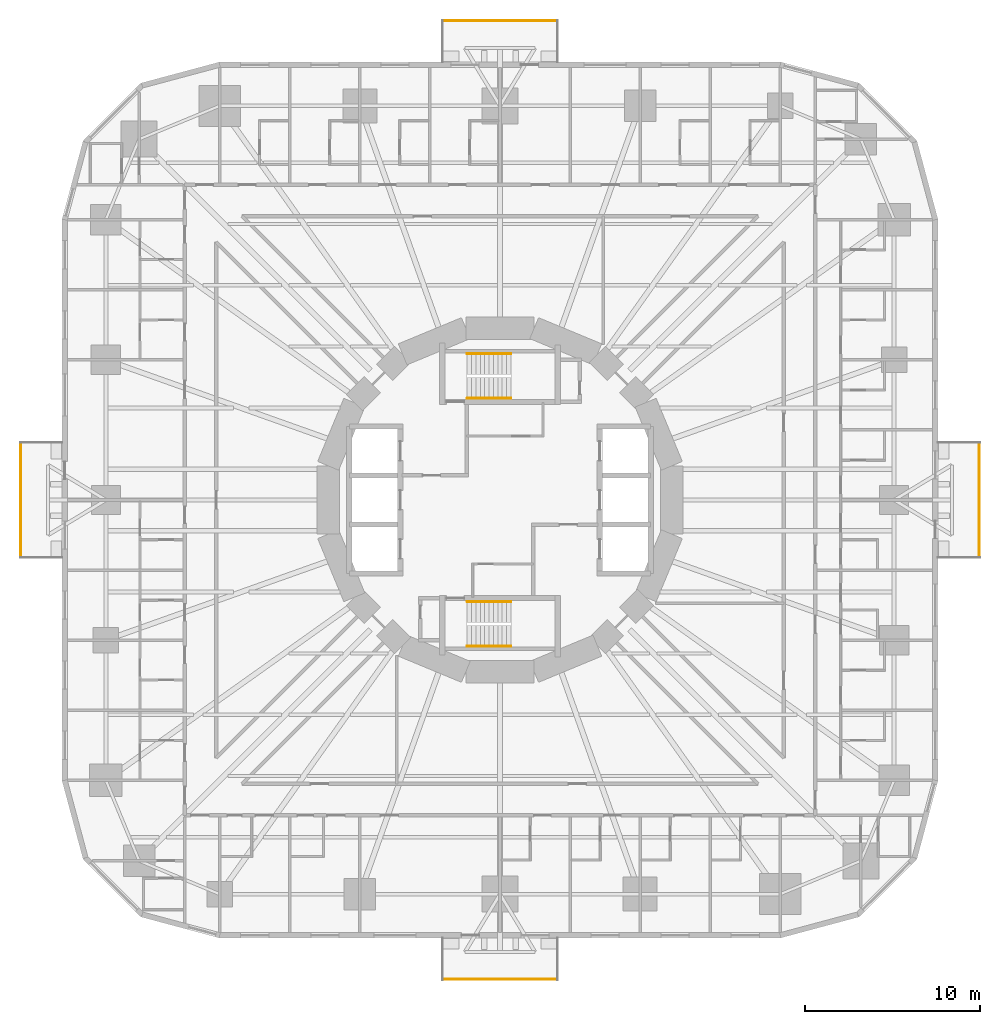
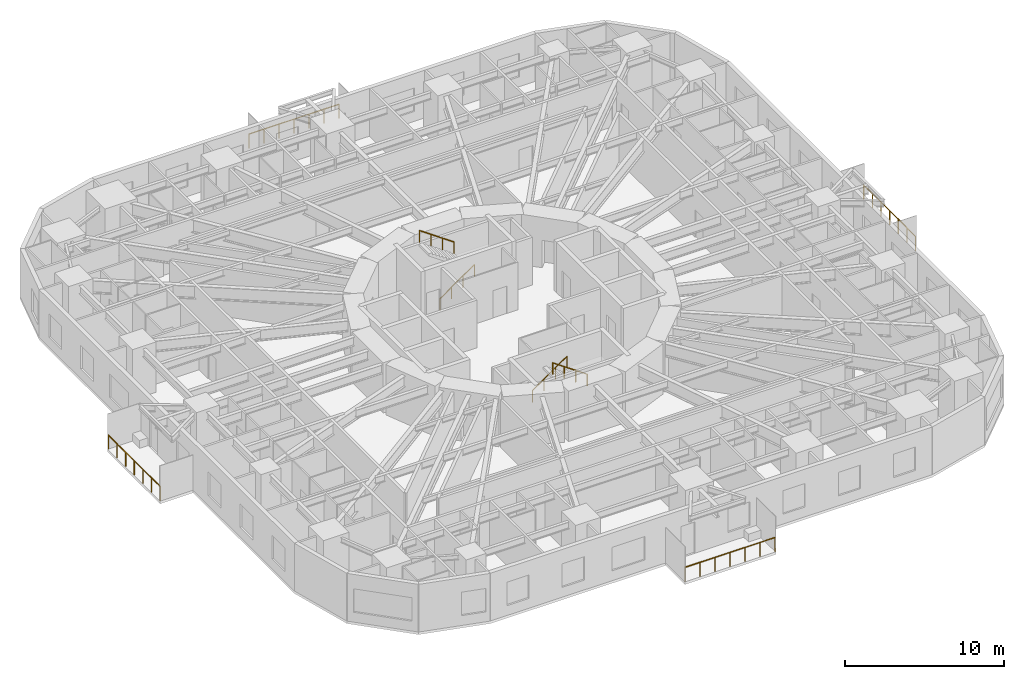
# One storey, part 13 of 14: 8 railings.
"""IFC4 building model written with IfcOpenShell, lengths in metres."""

from ifc_helpers import new_model, si_unit, direction, frame, origin, origin_2d, place, context, subcontext, project, spatial, circle, extrude, material, type_object, element, save


model = new_model("IFC4")

# Units and contexts
model_context = context("Model", 3, precision=1e-05, world=origin(), true_north=direction((0.0, 1.0)))
body_context = subcontext(model_context, "Body", "Model", "MODEL_VIEW")
ifc_project = project(units=[si_unit("LENGTHUNIT", "METRE"), si_unit("AREAUNIT", "SQUARE_METRE"), si_unit("VOLUMEUNIT", "CUBIC_METRE"), si_unit("PLANEANGLEUNIT", "RADIAN"), si_unit("MASSUNIT", "GRAM", prefix="KILO")], contexts=[model_context])

# Site, building, storey
site_placement = place(None, origin())
site = spatial("IfcSite", under=ifc_project, at=site_placement, CompositionType="ELEMENT")
building_placement = place(site_placement, origin())
building = spatial("IfcBuilding", under=site, at=building_placement, Name="Nakasero Lantern House", CompositionType="ELEMENT")
storey_placement = place(building_placement, frame((0.0, 0.0, 46.800048828125)))
storey = spatial("IfcBuildingStorey", under=building, at=storey_placement, Name="L11", CompositionType="ELEMENT", Elevation=46.800048828125)

# Railings
ifc_material_1 = material(Name="Aluminium 6063-T6", Category="aluminium")
railing_type_1 = type_object("IfcRailingType", Name="Balcony guard 1100", PredefinedType="BALUSTRADE", material=ifc_material_1)
railing_1_placement = place(storey_placement, frame((27.35009765625, -3.260009765625, 0.0)))
element("IfcRailing", 1, at=railing_1_placement, inside=storey, type_object=railing_type_1, Name="Balcony guard L11 BAL0", PredefinedType="BALUSTRADE", context=body_context, shape_type="SweptSolid", body=[
    extrude(circle(Radius=0.02392578125, at=origin_2d()), frame((0.0, 0.0, 1.076171875), z_axis=(0.0, 1.0, 0.0), x_axis=(-1.0, 0.0, 0.0)), (0.0, 0.0, 1.0), 6.52001953125),
    extrude(circle(Radius=0.02099609375, at=origin_2d()), origin(), (0.0, 0.0, 1.0), 1.052001953125),
    extrude(circle(Radius=0.02099609375, at=origin_2d()), frame((0.0, 1.086669921875, 0.0)), (0.0, 0.0, 1.0), 1.052001953125),
    extrude(circle(Radius=0.02099609375, at=origin_2d()), frame((0.0, 2.17333984375, 0.0)), (0.0, 0.0, 1.0), 1.052001953125),
    extrude(circle(Radius=0.02099609375, at=origin_2d()), frame((0.0, 3.260009765625, 0.0)), (0.0, 0.0, 1.0), 1.052001953125),
    extrude(circle(Radius=0.02099609375, at=origin_2d()), frame((0.0, 4.3466796875, 0.0)), (0.0, 0.0, 1.0), 1.052001953125),
    extrude(circle(Radius=0.02099609375, at=origin_2d()), frame((0.0, 5.433349609375, 0.0)), (0.0, 0.0, 1.0), 1.052001953125),
    extrude(circle(Radius=0.02099609375, at=origin_2d()), frame((0.0, 6.52001953125, 0.0)), (0.0, 0.0, 1.0), 1.052001953125),
])
railing_2_placement = place(storey_placement, frame((3.260009765625, 27.35009765625, 0.0)))
element("IfcRailing", 2, at=railing_2_placement, inside=storey, type_object=railing_type_1, Name="Balcony guard L11 BAL1", PredefinedType="BALUSTRADE", context=body_context, shape_type="SweptSolid", body=[
    extrude(circle(Radius=0.02392578125, at=origin_2d()), frame((0.0, 0.0, 1.076171875), z_axis=(-1.0, 0.0, 0.0), x_axis=(0.0, -1.0, 0.0)), (0.0, 0.0, 1.0), 6.52001953125),
    extrude(circle(Radius=0.02099609375, at=origin_2d()), origin(), (0.0, 0.0, 1.0), 1.052001953125),
    extrude(circle(Radius=0.02099609375, at=origin_2d()), frame((-1.086669921875, 0.0, 0.0)), (0.0, 0.0, 1.0), 1.052001953125),
    extrude(circle(Radius=0.02099609375, at=origin_2d()), frame((-2.17333984375, 0.0, 0.0)), (0.0, 0.0, 1.0), 1.052001953125),
    extrude(circle(Radius=0.02099609375, at=origin_2d()), frame((-3.260009765625, 0.0, 0.0)), (0.0, 0.0, 1.0), 1.052001953125),
    extrude(circle(Radius=0.02099609375, at=origin_2d()), frame((-4.3466796875, 0.0, 0.0)), (0.0, 0.0, 1.0), 1.052001953125),
    extrude(circle(Radius=0.02099609375, at=origin_2d()), frame((-5.433349609375, 0.0, 0.0)), (0.0, 0.0, 1.0), 1.052001953125),
    extrude(circle(Radius=0.02099609375, at=origin_2d()), frame((-6.52001953125, 0.0, 0.0)), (0.0, 0.0, 1.0), 1.052001953125),
])
railing_3_placement = place(storey_placement, frame((-27.35009765625, 3.260009765625, 0.0)))
element("IfcRailing", 3, at=railing_3_placement, inside=storey, type_object=railing_type_1, Name="Balcony guard L11 BAL2", PredefinedType="BALUSTRADE", context=body_context, shape_type="SweptSolid", body=[
    extrude(circle(Radius=0.02392578125, at=origin_2d()), frame((0.0, 0.0, 1.076171875), z_axis=(0.0, -1.0, 0.0), x_axis=(1.0, 0.0, 0.0)), (0.0, 0.0, 1.0), 6.52001953125),
    extrude(circle(Radius=0.02099609375, at=origin_2d()), origin(), (0.0, 0.0, 1.0), 1.052001953125),
    extrude(circle(Radius=0.02099609375, at=origin_2d()), frame((0.0, -1.086669921875, 0.0)), (0.0, 0.0, 1.0), 1.052001953125),
    extrude(circle(Radius=0.02099609375, at=origin_2d()), frame((0.0, -2.17333984375, 0.0)), (0.0, 0.0, 1.0), 1.052001953125),
    extrude(circle(Radius=0.02099609375, at=origin_2d()), frame((0.0, -3.260009765625, 0.0)), (0.0, 0.0, 1.0), 1.052001953125),
    extrude(circle(Radius=0.02099609375, at=origin_2d()), frame((0.0, -4.3466796875, 0.0)), (0.0, 0.0, 1.0), 1.052001953125),
    extrude(circle(Radius=0.02099609375, at=origin_2d()), frame((0.0, -5.433349609375, 0.0)), (0.0, 0.0, 1.0), 1.052001953125),
    extrude(circle(Radius=0.02099609375, at=origin_2d()), frame((0.0, -6.52001953125, 0.0)), (0.0, 0.0, 1.0), 1.052001953125),
])
railing_4_placement = place(storey_placement, frame((-3.260009765625, -27.35009765625, 0.0)))
element("IfcRailing", 4, at=railing_4_placement, inside=storey, type_object=railing_type_1, Name="Balcony guard L11 BAL3", PredefinedType="BALUSTRADE", context=body_context, shape_type="SweptSolid", body=[
    extrude(circle(Radius=0.02392578125, at=origin_2d()), frame((0.0, 0.0, 1.076171875), z_axis=(1.0, 0.0, 0.0), x_axis=(0.0, 1.0, 0.0)), (0.0, 0.0, 1.0), 6.52001953125),
    extrude(circle(Radius=0.02099609375, at=origin_2d()), origin(), (0.0, 0.0, 1.0), 1.052001953125),
    extrude(circle(Radius=0.02099609375, at=origin_2d()), frame((1.086669921875, 0.0, 0.0)), (0.0, 0.0, 1.0), 1.052001953125),
    extrude(circle(Radius=0.02099609375, at=origin_2d()), frame((2.17333984375, 0.0, 0.0)), (0.0, 0.0, 1.0), 1.052001953125),
    extrude(circle(Radius=0.02099609375, at=origin_2d()), frame((3.260009765625, 0.0, 0.0)), (0.0, 0.0, 1.0), 1.052001953125),
    extrude(circle(Radius=0.02099609375, at=origin_2d()), frame((4.3466796875, 0.0, 0.0)), (0.0, 0.0, 1.0), 1.052001953125),
    extrude(circle(Radius=0.02099609375, at=origin_2d()), frame((5.433349609375, 0.0, 0.0)), (0.0, 0.0, 1.0), 1.052001953125),
    extrude(circle(Radius=0.02099609375, at=origin_2d()), frame((6.52001953125, 0.0, 0.0)), (0.0, 0.0, 1.0), 1.052001953125),
])
ifc_material_2 = material(Name="Stainless steel 316", Category="steel")
railing_type_2 = type_object("IfcRailingType", Name="Stair handrail 900", PredefinedType="HANDRAIL", material=ifc_material_2)
railing_5_placement = place(storey_placement, frame((-1.875, 5.800048828125, 0.175048828125)))
element("IfcRailing", 5, at=railing_5_placement, inside=storey, type_object=railing_type_2, Name="Handrail ST1 L11 flight 1", PredefinedType="HANDRAIL", context=body_context, shape_type="SweptSolid", body=[
    extrude(circle(Radius=0.02392578125, at=origin_2d()), frame((0.0, 0.0, 0.8759765625), z_axis=(0.819231920519, 0.0, 0.573462344363), x_axis=(0.0, 1.0, 0.0)), (0.0, 0.0, 1.0), 3.0517578125),
    extrude(circle(Radius=0.02099609375, at=origin_2d()), origin(), (0.0, 0.0, 1.0), 0.851806640625),
    extrude(circle(Radius=0.02099609375, at=origin_2d()), frame((0.833251953125, 0.0, 0.583251953125)), (0.0, 0.0, 1.0), 0.851806640625),
    extrude(circle(Radius=0.02099609375, at=origin_2d()), frame((1.666748046875, 0.0, 1.166748046875)), (0.0, 0.0, 1.0), 0.851806640625),
    extrude(circle(Radius=0.02099609375, at=origin_2d()), frame((2.5, 0.0, 1.75)), (0.0, 0.0, 1.0), 0.851806640625),
])
railing_6_placement = place(storey_placement, frame((0.625, 8.35009765625, 2.099853515625)))
element("IfcRailing", 6, at=railing_6_placement, inside=storey, type_object=railing_type_2, Name="Handrail ST1 L11 flight 2", PredefinedType="HANDRAIL", context=body_context, shape_type="SweptSolid", body=[
    extrude(circle(Radius=0.02392578125, at=origin_2d()), frame((0.0, 0.0, 0.8759765625), z_axis=(-0.819231920519, 0.0, 0.573462344363), x_axis=(0.0, -1.0, 0.0)), (0.0, 0.0, 1.0), 3.0517578125),
    extrude(circle(Radius=0.02099609375, at=origin_2d()), origin(), (0.0, 0.0, 1.0), 0.851806640625),
    extrude(circle(Radius=0.02099609375, at=origin_2d()), frame((-0.833251953125, 0.0, 0.583251953125)), (0.0, 0.0, 1.0), 0.851806640625),
    extrude(circle(Radius=0.02099609375, at=origin_2d()), frame((-1.666748046875, 0.0, 1.166748046875)), (0.0, 0.0, 1.0), 0.851806640625),
    extrude(circle(Radius=0.02099609375, at=origin_2d()), frame((-2.5, 0.0, 1.75)), (0.0, 0.0, 1.0), 0.851806640625),
])
railing_7_placement = place(storey_placement, frame((-1.875, -5.800048828125, 0.175048828125)))
element("IfcRailing", 7, at=railing_7_placement, inside=storey, type_object=railing_type_2, Name="Handrail ST2 L11 flight 1", PredefinedType="HANDRAIL", context=body_context, shape_type="SweptSolid", body=[
    extrude(circle(Radius=0.02392578125, at=origin_2d()), frame((0.0, 0.0, 0.8759765625), z_axis=(0.819231920519, 0.0, 0.573462344363), x_axis=(0.0, 1.0, 0.0)), (0.0, 0.0, 1.0), 3.0517578125),
    extrude(circle(Radius=0.02099609375, at=origin_2d()), origin(), (0.0, 0.0, 1.0), 0.851806640625),
    extrude(circle(Radius=0.02099609375, at=origin_2d()), frame((0.833251953125, 0.0, 0.583251953125)), (0.0, 0.0, 1.0), 0.851806640625),
    extrude(circle(Radius=0.02099609375, at=origin_2d()), frame((1.666748046875, 0.0, 1.166748046875)), (0.0, 0.0, 1.0), 0.851806640625),
    extrude(circle(Radius=0.02099609375, at=origin_2d()), frame((2.5, 0.0, 1.75)), (0.0, 0.0, 1.0), 0.851806640625),
])
railing_8_placement = place(storey_placement, frame((0.625, -8.35009765625, 2.099853515625)))
element("IfcRailing", 8, at=railing_8_placement, inside=storey, type_object=railing_type_2, Name="Handrail ST2 L11 flight 2", PredefinedType="HANDRAIL", context=body_context, shape_type="SweptSolid", body=[
    extrude(circle(Radius=0.02392578125, at=origin_2d()), frame((0.0, 0.0, 0.8759765625), z_axis=(-0.819231920519, 0.0, 0.573462344363), x_axis=(0.0, -1.0, 0.0)), (0.0, 0.0, 1.0), 3.0517578125),
    extrude(circle(Radius=0.02099609375, at=origin_2d()), origin(), (0.0, 0.0, 1.0), 0.851806640625),
    extrude(circle(Radius=0.02099609375, at=origin_2d()), frame((-0.833251953125, 0.0, 0.583251953125)), (0.0, 0.0, 1.0), 0.851806640625),
    extrude(circle(Radius=0.02099609375, at=origin_2d()), frame((-1.666748046875, 0.0, 1.166748046875)), (0.0, 0.0, 1.0), 0.851806640625),
    extrude(circle(Radius=0.02099609375, at=origin_2d()), frame((-2.5, 0.0, 1.75)), (0.0, 0.0, 1.0), 0.851806640625),
])

save(model, "model.ifc")
